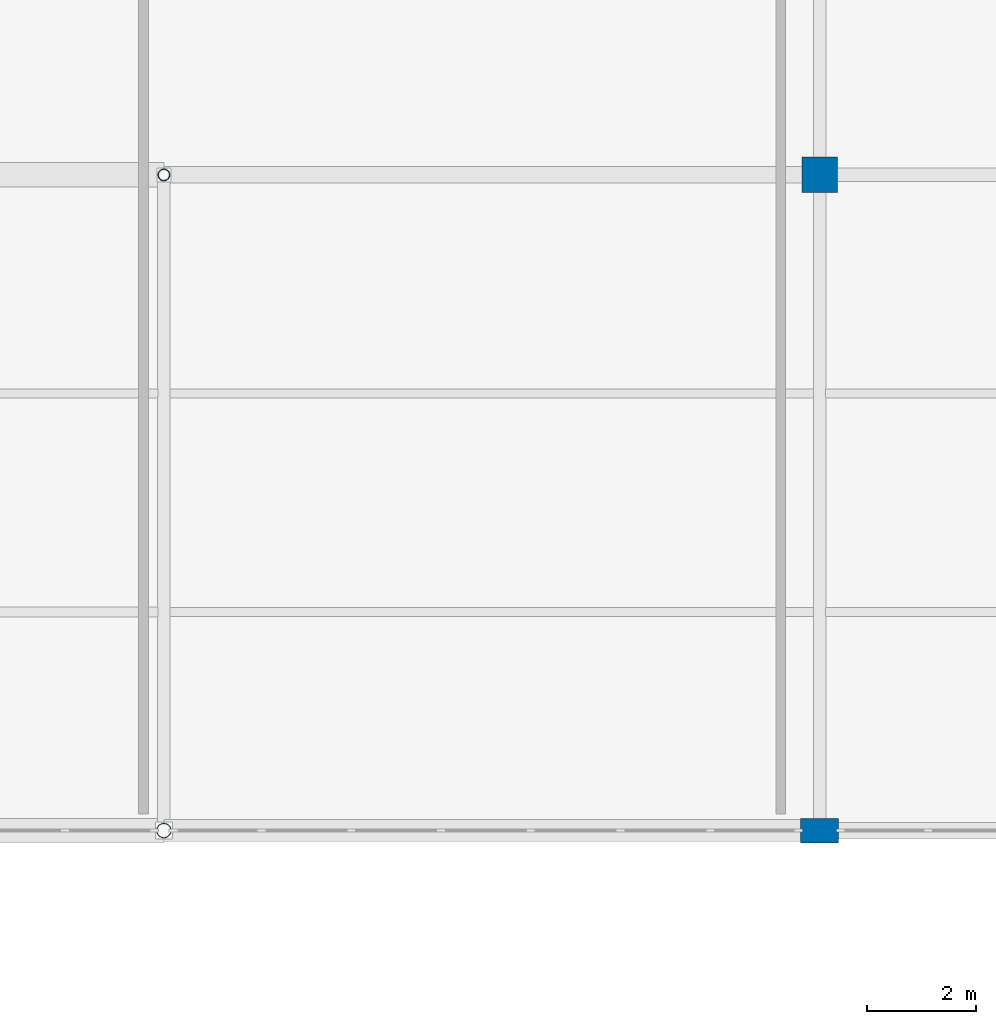
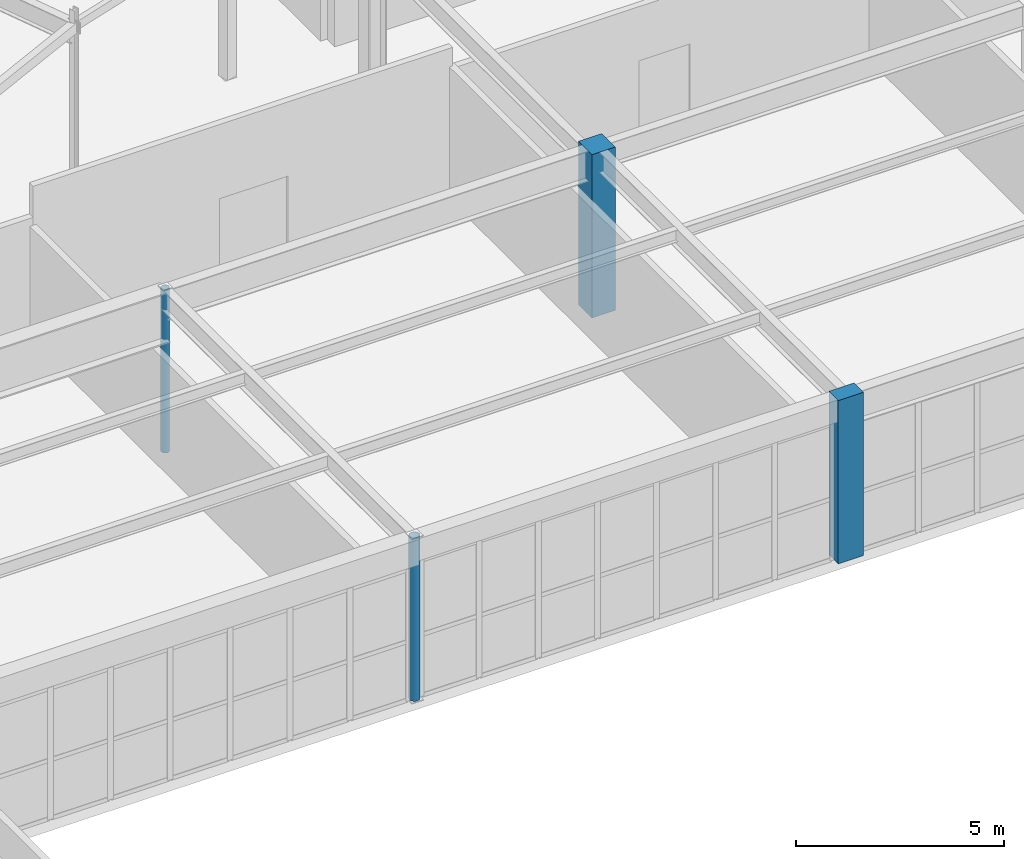
# One storey, part 23 of 186: 4 columns.
"""IFC4 building model written with IfcOpenShell, lengths in metres."""

from ifc_helpers import new_model, si_unit, direction, frame, origin, origin_2d, place, context, subcontext, project, spatial, rectangle, hollow_circle, extrude, material, material_profile, profile_set, type_object, element, save


model = new_model("IFC4")

# Units and contexts
model_context = context("Model", 3, precision=1e-05, world=origin(), true_north=direction((0.0, 1.0)))
body_context = subcontext(model_context, "Body", "Model", "MODEL_VIEW")
ifc_project = project(units=[si_unit("LENGTHUNIT", "METRE"), si_unit("AREAUNIT", "SQUARE_METRE"), si_unit("VOLUMEUNIT", "CUBIC_METRE"), si_unit("PLANEANGLEUNIT", "RADIAN"), si_unit("MASSUNIT", "GRAM", prefix="KILO")], contexts=[model_context])

# Site, building, storey
site_placement = place(None, origin())
site = spatial("IfcSite", under=ifc_project, at=site_placement, CompositionType="ELEMENT")
building_placement = place(site_placement, origin())
building = spatial("IfcBuilding", under=site, at=building_placement, Name="Tarnwether General Hospital", CompositionType="ELEMENT")
storey_placement = place(building_placement, frame((0.0, 0.0, 9.60009765625)))
storey = spatial("IfcBuildingStorey", under=building, at=storey_placement, Name="L02", CompositionType="ELEMENT", Elevation=9.60009765625)

# Columns
ifc_material_1 = material(Name="Steel Grade C350L0 (350 MPa)", Category="steel")
ifc_material_profile_1 = material_profile(ifc_material_1, hollow_circle(Radius=0.136474609375, WallThickness=0.0126953125, at=origin_2d()), Name="CHS273.1x12.7")
ifc_profile_set_1 = profile_set([ifc_material_profile_1], Name="Steel Grade C350L0 (350 MPa)")
column_type_1 = type_object("IfcColumnType", Name="COL-12", PredefinedType="COLUMN", material=ifc_profile_set_1)
column_1_placement = place(storey_placement, frame((72.0, 81.60009765625, 0.0), z_axis=(0.0, 0.0, 1.0), x_axis=(1.0, 0.0, 0.0)))
element("IfcColumn", 1, at=column_1_placement, inside=storey, type_object=column_type_1, Name="Column COLG-L02-7200_8160", PredefinedType="COLUMN", context=body_context, shape_type="SweptSolid", body=[
    extrude(hollow_circle(Radius=0.136474609375, WallThickness=0.0126953125, at=origin_2d()), origin(), (0.0, 0.0, 1.0), 4.7998046875),
])
ifc_material_2 = material(Name="Steel Grade C350L0 (350 MPa)", Category="steel")
ifc_material_profile_2 = material_profile(ifc_material_2, hollow_circle(Radius=0.109619140625, WallThickness=0.010009765625, at=origin_2d()), Name="CHS219.1x10.0")
ifc_profile_set_2 = profile_set([ifc_material_profile_2], Name="Steel Grade C350L0 (350 MPa)")
column_type_2 = type_object("IfcColumnType", Name="COL-13", PredefinedType="COLUMN", material=ifc_profile_set_2)
column_2_placement = place(storey_placement, frame((72.0, 93.60009765625, 0.0), z_axis=(0.0, 0.0, 1.0), x_axis=(1.0, 0.0, 0.0)))
element("IfcColumn", 2, at=column_2_placement, inside=storey, type_object=column_type_2, Name="Column COLG-L02-7200_9360", PredefinedType="COLUMN", context=body_context, shape_type="SweptSolid", body=[
    extrude(hollow_circle(Radius=0.109619140625, WallThickness=0.010009765625, at=origin_2d()), origin(), (0.0, 0.0, 1.0), 4.7998046875),
])
ifc_material_3 = material(Name="Concrete 50 MPa", Category="concrete")
ifc_material_profile_3 = material_profile(ifc_material_3, rectangle(XDim=0.449951171875, YDim=0.699951171875, at=origin_2d()), Name="RC-PIL-450x700")
ifc_profile_set_3 = profile_set([ifc_material_profile_3], Name="Concrete 50 MPa")
column_type_3 = type_object("IfcColumnType", Name="COL-22", PredefinedType="PILASTER", material=ifc_profile_set_3)
column_3_placement = place(storey_placement, frame((84.0, 81.60009765625, 0.0), z_axis=(0.0, 0.0, 1.0), x_axis=(0.0, 1.0, 0.0)))
element("IfcColumn", 3, at=column_3_placement, inside=storey, type_object=column_type_3, Name="Column COLG-L02-8400_8160", PredefinedType="PILASTER", context=body_context, shape_type="SweptSolid", body=[
    extrude(rectangle(XDim=0.449951171875, YDim=0.699951171875, at=origin_2d()), origin(), (0.0, 0.0, 1.0), 4.7998046875),
])
ifc_material_4 = material(Name="Concrete 50 MPa", Category="concrete")
ifc_material_profile_4 = material_profile(ifc_material_4, rectangle(XDim=0.64990234375, YDim=0.64990234375, at=origin_2d()), Name="RC-COL-650x650")
ifc_profile_set_4 = profile_set([ifc_material_profile_4], Name="Concrete 50 MPa")
column_type_4 = type_object("IfcColumnType", Name="COL-35", PredefinedType="COLUMN", material=ifc_profile_set_4)
column_4_placement = place(storey_placement, frame((84.0, 93.60009765625, 0.0), z_axis=(0.0, 0.0, 1.0), x_axis=(0.0, 1.0, 0.0)))
element("IfcColumn", 4, at=column_4_placement, inside=storey, type_object=column_type_4, Name="Column COLG-L02-8400_9360", PredefinedType="COLUMN", context=body_context, shape_type="SweptSolid", body=[
    extrude(rectangle(XDim=0.64990234375, YDim=0.64990234375, at=origin_2d()), origin(), (0.0, 0.0, 1.0), 4.7998046875),
])

save(model, "model.ifc")
